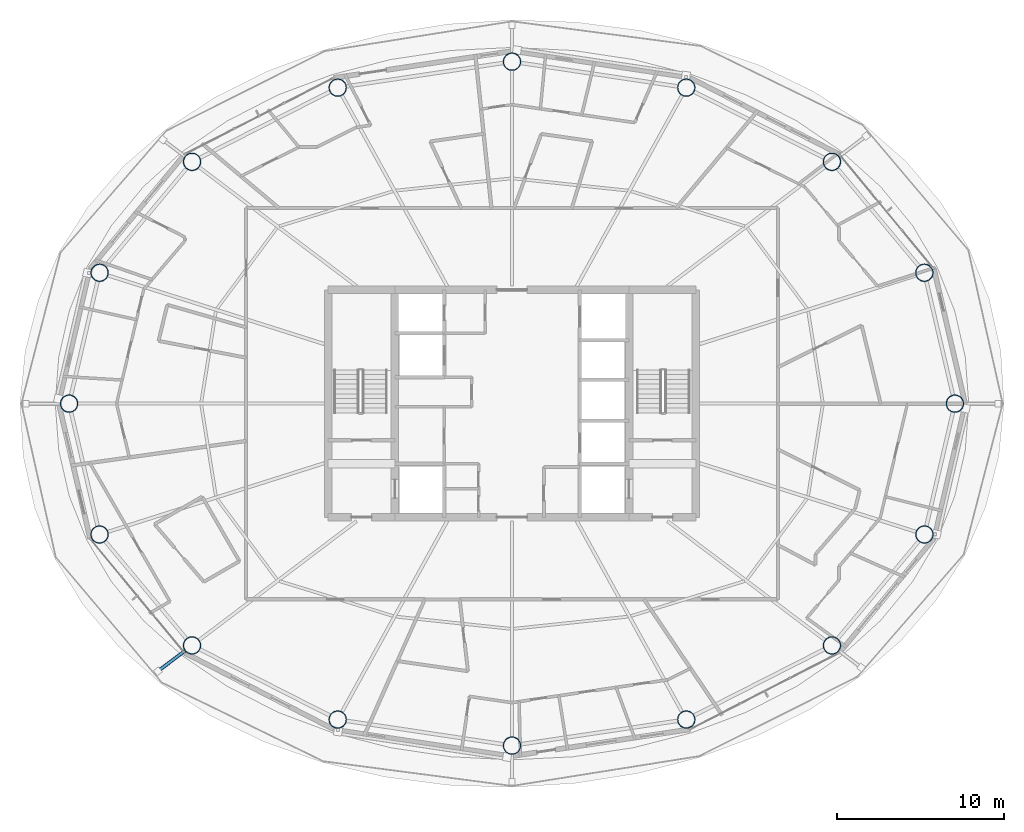
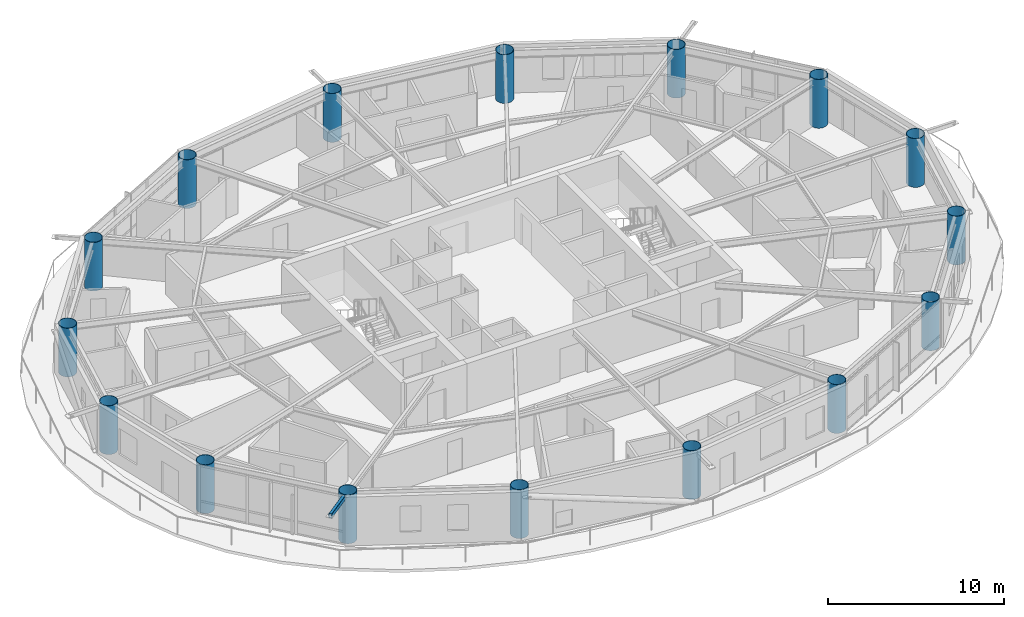
# One storey, part 1 of 28: 16 columns, 1 member.
"""IFC4 building model written with IfcOpenShell, lengths in metres."""

from ifc_helpers import new_model, si_unit, direction, frame, origin, origin_2d, place, context, subcontext, project, spatial, hollow_rectangle, hollow_circle, extrude, material, material_profile, profile_set, type_object, element, save


model = new_model("IFC4")

# Units and contexts
model_context = context("Model", 3, precision=1e-05, world=origin(), true_north=direction((0.0, 1.0)))
body_context = subcontext(model_context, "Body", "Model", "MODEL_VIEW")
ifc_project = project(units=[si_unit("LENGTHUNIT", "METRE"), si_unit("AREAUNIT", "SQUARE_METRE"), si_unit("VOLUMEUNIT", "CUBIC_METRE"), si_unit("PLANEANGLEUNIT", "RADIAN"), si_unit("MASSUNIT", "GRAM", prefix="KILO")], contexts=[model_context])

# Site, building, storey
site_placement = place(None, origin())
site = spatial("IfcSite", under=ifc_project, at=site_placement, CompositionType="ELEMENT")
building_placement = place(site_placement, origin())
building = spatial("IfcBuilding", under=site, at=building_placement, Name="Sarneth Arch Tower", CompositionType="ELEMENT")
storey_placement = place(building_placement, frame((0.0, 0.0, 172.199951171875)))
storey = spatial("IfcBuildingStorey", under=building, at=storey_placement, Name="L43", CompositionType="ELEMENT", Elevation=172.199951171875)

# Columns
ifc_material_1 = material(Name="Steel S355", Category="steel")
ifc_material_profile_1 = material_profile(ifc_material_1, hollow_circle(Radius=0.52490234375, WallThickness=0.028076171875, at=origin_2d()), Name="CHS1050x28")
ifc_profile_set_1 = profile_set([ifc_material_profile_1], Name="Steel S355")
column_type = type_object("IfcColumnType", Name="COL-MEGA-1050", PredefinedType="COLUMN", material=ifc_profile_set_1)
for number, where, z_axis, x_axis, name in (
    (1, (74.487060546875, 42.0, 0.0), (0.0, 0.0, 1.0), (1.0, 0.0, 0.0), "L43 Perimeter mega-column M01"),
    (2, (72.662109375, 49.825927734375, 0.0), (0.0, 0.0, 1.0), (1.0, 0.0, 0.0), "L43 Perimeter mega-column M02"),
    (3, (67.1337890625, 56.46044921875, 0.0), (0.0, 0.0, 1.0), (1.0, 0.0, 0.0), "L43 Perimeter mega-column M03"),
    (4, (58.421875, 60.893310546875, 0.0), (0.0, 0.0, 1.0), (1.0, 0.0, 0.0), "L43 Perimeter mega-column M04"),
    (5, (48.0, 62.449951171875, 0.0), (0.0, 0.0, 1.0), (1.0, 0.0, 0.0), "L43 Perimeter mega-column M05"),
    (6, (37.578125, 60.893310546875, 0.0), (0.0, 0.0, 1.0), (1.0, 0.0, 0.0), "L43 Perimeter mega-column M06"),
    (7, (28.8662109375, 56.46044921875, 0.0), (0.0, 0.0, 1.0), (1.0, 0.0, 0.0), "L43 Perimeter mega-column M07"),
    (8, (23.337890625, 49.825927734375, 0.0), (0.0, 0.0, 1.0), (1.0, 0.0, 0.0), "L43 Perimeter mega-column M08"),
    (9, (21.512939453125, 42.0, 0.0), (0.0, 0.0, 1.0), (1.0, 0.0, 0.0), "L43 Perimeter mega-column M09"),
    (10, (23.337890625, 34.174072265625, 0.0), (0.0, 0.0, 1.0), (1.0, 0.0, 0.0), "L43 Perimeter mega-column M10"),
    (11, (28.8662109375, 27.53955078125, 0.0), (0.0, 0.0, 1.0), (1.0, 0.0, 0.0), "L43 Perimeter mega-column M11"),
    (12, (37.578125, 23.106689453125, 0.0), (0.0, 0.0, 1.0), (1.0, 0.0, 0.0), "L43 Perimeter mega-column M12"),
    (13, (48.0, 21.550048828125, 0.0), (0.0, 0.0, 1.0), (1.0, 0.0, 0.0), "L43 Perimeter mega-column M13"),
    (14, (58.421875, 23.106689453125, 0.0), (0.0, 0.0, 1.0), (1.0, 0.0, 0.0), "L43 Perimeter mega-column M14"),
    (15, (67.1337890625, 27.53955078125, 0.0), (0.0, 0.0, 1.0), (1.0, 0.0, 0.0), "L43 Perimeter mega-column M15"),
    (16, (72.662109375, 34.174072265625, 0.0), (0.0, 0.0, 1.0), (1.0, 0.0, 0.0), "L43 Perimeter mega-column M16"),
):
    element("IfcColumn", number, at=place(storey_placement, frame(where, z_axis=z_axis, x_axis=x_axis)), inside=storey, type_object=column_type, Name=name, PredefinedType="COLUMN", context=body_context, shape_type="SweptSolid", body=[
        extrude(hollow_circle(Radius=0.52490234375, WallThickness=0.028076171875, at=origin_2d()), origin(), (0.0, 0.0, 1.0), 3.380126953125),
    ])

# Member
ifc_material_2 = material(Name="Steel S355", Category="steel")
ifc_material_profile_2 = material_profile(ifc_material_2, hollow_rectangle(XDim=0.199951171875, YDim=0.300048828125, WallThickness=0.012451171875, InnerFilletRadius=0.018798828125, OuterFilletRadius=0.03125, at=origin_2d()), Name="RHS300x200x12.5")
ifc_profile_set_2 = profile_set([ifc_material_profile_2], Name="Steel S355")
member_type = type_object("IfcMemberType", Name="MEM-CANT-STRUT", PredefinedType="STRUT", material=ifc_profile_set_2)
member_placement = place(storey_placement, frame((28.447265625, 27.22314453125, 3.219970703125), z_axis=(-0.797776219853, -0.602953649161, 0.0), x_axis=(0.602953649161, -0.797776219853, 0.0)))
element("IfcMember", 17, at=member_placement, inside=storey, type_object=member_type, Name="L43 Balcony cantilever bracket 11", PredefinedType="STRUT", context=body_context, shape_type="SweptSolid", body=[
    extrude(hollow_rectangle(XDim=0.199951171875, YDim=0.300048828125, WallThickness=0.012451171875, InnerFilletRadius=0.018798828125, OuterFilletRadius=0.03125, at=origin_2d()), origin(), (0.0, 0.0, 1.0), 2.033935546875),
])

save(model, "model.ifc")
